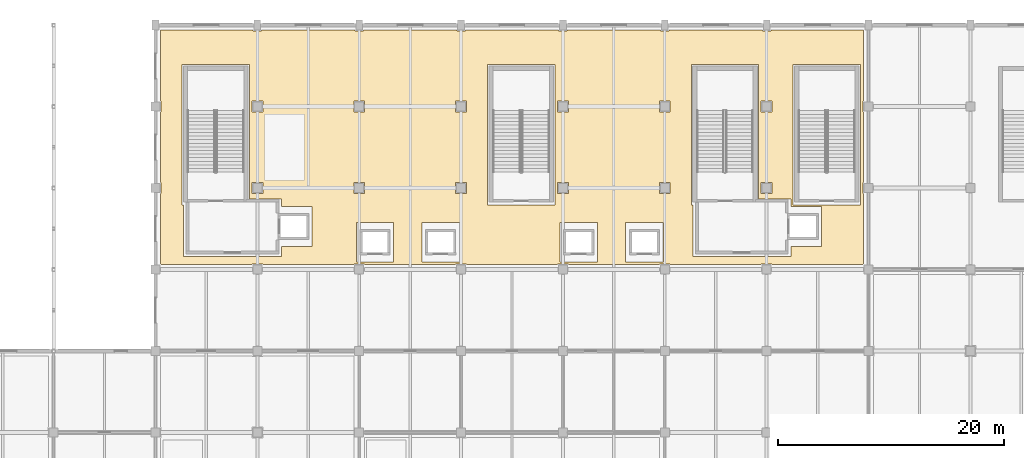
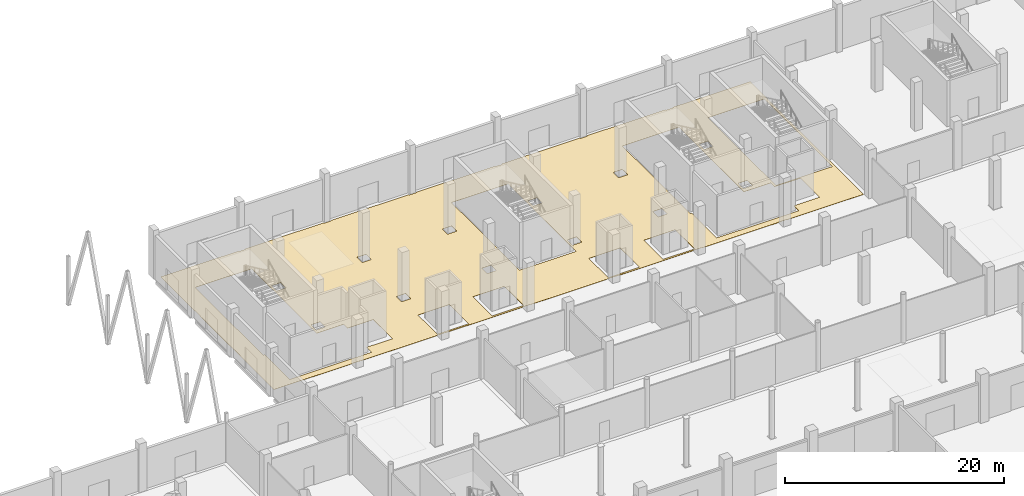
# One storey, part 129 of 137: 1 covering.
"""IFC4 building model written with IfcOpenShell, lengths in metres."""

from ifc_helpers import new_model, si_unit, direction, origin, place, context, subcontext, project, spatial, polyline, outline, extrude, material, layer, layer_set, type_object, element, save


model = new_model("IFC4")

# Units and contexts
model_context = context("Model", 3, precision=1e-05, world=origin(), true_north=direction((0.0, 1.0)))
body_context = subcontext(model_context, "Body", "Model", "MODEL_VIEW")
ifc_project = project(units=[si_unit("LENGTHUNIT", "METRE"), si_unit("AREAUNIT", "SQUARE_METRE"), si_unit("VOLUMEUNIT", "CUBIC_METRE"), si_unit("PLANEANGLEUNIT", "RADIAN"), si_unit("MASSUNIT", "GRAM", prefix="KILO")], contexts=[model_context])

# Site, building, storey
site_placement = place(None, origin())
site = spatial("IfcSite", under=ifc_project, at=site_placement, CompositionType="ELEMENT")
building_placement = place(site_placement, origin())
building = spatial("IfcBuilding", under=site, at=building_placement, Name="Celestram Park Convention Centre", CompositionType="ELEMENT")
storey_placement = place(building_placement, origin())
storey = spatial("IfcBuildingStorey", under=building, at=storey_placement, Name="L00", CompositionType="ELEMENT", Elevation=0.0)

# Covering
ifc_material = material(Name="Polished Lakefront Aggregate Terrazzo Flooring", Category="concrete")
ifc_layer = layer(ifc_material, 0.02001953125)
ifc_layer_set = layer_set([ifc_layer], Name="Polished Lakefront Aggregate Terrazzo Flooring")
covering_type = type_object("IfcCoveringType", Name="ARC-COV-FLR020", PredefinedType="FLOORING", material=ifc_layer_set)
covering_placement = place(storey_placement, origin())
element("IfcCovering", 1, at=covering_placement, inside=storey, type_object=covering_type, Name="North Elevator Lobby L00 terrazzo flooring", PredefinedType="FLOORING", context=body_context, shape_type="SweptSolid", body=[
    extrude(outline(polyline([(44.6220703125, 165.14990234375), (44.6220703125, 165.072021484375), (45.3779296875, 165.072021484375), (45.3779296875, 165.14990234375), (53.6220703125, 165.14990234375), (53.6220703125, 165.072021484375), (54.3779296875, 165.072021484375), (54.3779296875, 165.14990234375), (62.6220703125, 165.14990234375), (62.6220703125, 165.072021484375), (63.3779296875, 165.072021484375), (63.3779296875, 165.14990234375), (71.6220703125, 165.14990234375), (71.6220703125, 165.072021484375), (72.3779296875, 165.072021484375), (72.3779296875, 165.14990234375), (80.6220703125, 165.14990234375), (80.6220703125, 165.072021484375), (81.3779296875, 165.072021484375), (81.3779296875, 165.14990234375), (89.6220703125, 165.14990234375), (89.6220703125, 165.072021484375), (90.3779296875, 165.072021484375), (90.3779296875, 165.14990234375), (98.550048828125, 165.14990234375), (98.550048828125, 158.8779296875), (98.52197265625, 158.8779296875), (98.52197265625, 157.922119140625), (98.550048828125, 157.922119140625), (98.550048828125, 151.677978515625), (98.52197265625, 151.677978515625), (98.52197265625, 150.721923828125), (98.550048828125, 150.721923828125), (98.550048828125, 144.47802734375), (98.52197265625, 144.47802734375), (98.52197265625, 144.449951171875), (90.47802734375, 144.449951171875), (90.47802734375, 144.47802734375), (89.52197265625, 144.47802734375), (89.52197265625, 144.449951171875), (81.47802734375, 144.449951171875), (81.47802734375, 144.47802734375), (80.52197265625, 144.47802734375), (80.52197265625, 144.449951171875), (72.47802734375, 144.449951171875), (72.47802734375, 144.47802734375), (71.52197265625, 144.47802734375), (71.52197265625, 144.449951171875), (63.47802734375, 144.449951171875), (63.47802734375, 144.47802734375), (62.52197265625, 144.47802734375), (62.52197265625, 144.449951171875), (54.47802734375, 144.449951171875), (54.47802734375, 144.47802734375), (53.52197265625, 144.47802734375), (53.52197265625, 144.449951171875), (45.47802734375, 144.449951171875), (45.47802734375, 144.47802734375), (44.52197265625, 144.47802734375), (44.52197265625, 144.449951171875), (36.47802734375, 144.449951171875), (36.47802734375, 144.47802734375), (36.449951171875, 144.47802734375), (36.449951171875, 150.721923828125), (36.47802734375, 150.721923828125), (36.47802734375, 151.677978515625), (36.449951171875, 151.677978515625), (36.449951171875, 157.922119140625), (36.47802734375, 157.922119140625), (36.47802734375, 158.8779296875), (36.449951171875, 158.8779296875), (36.449951171875, 165.14990234375), (44.6220703125, 165.14990234375)]), holes=[polyline([(57.050048828125, 148.14990234375), (53.75, 148.14990234375), (53.75, 144.64990234375), (57.050048828125, 144.64990234375), (57.050048828125, 148.14990234375)]), polyline([(62.85009765625, 148.14990234375), (59.550048828125, 148.14990234375), (59.550048828125, 144.64990234375), (62.85009765625, 144.64990234375), (62.85009765625, 148.14990234375)]), polyline([(75.050048828125, 148.14990234375), (71.75, 148.14990234375), (71.75, 144.64990234375), (75.050048828125, 144.64990234375), (75.050048828125, 148.14990234375)]), polyline([(80.85009765625, 148.14990234375), (77.550048828125, 148.14990234375), (77.550048828125, 144.64990234375), (80.85009765625, 144.64990234375), (80.85009765625, 148.14990234375)]), polyline([(47.1298828125, 150.25), (44.300048828125, 150.25), (44.300048828125, 162.10009765625), (38.340087890625, 162.10009765625), (38.340087890625, 149.699951171875), (38.489990234375, 149.699951171875), (38.489990234375, 145.14990234375), (47.1298828125, 145.14990234375), (47.1298828125, 146.050048828125), (49.85009765625, 146.050048828125), (49.85009765625, 149.550048828125), (47.1298828125, 149.550048828125), (47.1298828125, 150.25)]), polyline([(92.1298828125, 150.25), (89.300048828125, 150.25), (89.300048828125, 162.10009765625), (83.340087890625, 162.10009765625), (83.340087890625, 149.699951171875), (83.489990234375, 149.699951171875), (83.489990234375, 145.14990234375), (92.1298828125, 145.14990234375), (92.1298828125, 146.050048828125), (94.85009765625, 146.050048828125), (94.85009765625, 149.550048828125), (92.1298828125, 149.550048828125), (92.1298828125, 150.25)]), polyline([(71.300048828125, 162.10009765625), (65.340087890625, 162.10009765625), (65.340087890625, 149.699951171875), (71.300048828125, 149.699951171875), (71.300048828125, 162.10009765625)]), polyline([(98.300048828125, 149.699951171875), (98.300048828125, 162.10009765625), (92.340087890625, 162.10009765625), (92.340087890625, 149.699951171875), (98.300048828125, 149.699951171875)]), polyline([(45.47802734375, 150.721923828125), (45.47802734375, 151.677978515625), (44.52197265625, 151.677978515625), (44.52197265625, 150.721923828125), (45.47802734375, 150.721923828125)]), polyline([(45.47802734375, 158.8779296875), (44.52197265625, 158.8779296875), (44.52197265625, 157.922119140625), (45.47802734375, 157.922119140625), (45.47802734375, 158.8779296875)]), polyline([(63.47802734375, 151.677978515625), (62.52197265625, 151.677978515625), (62.52197265625, 150.721923828125), (63.47802734375, 150.721923828125), (63.47802734375, 151.677978515625)]), polyline([(81.47802734375, 150.721923828125), (81.47802734375, 151.677978515625), (80.52197265625, 151.677978515625), (80.52197265625, 150.721923828125), (81.47802734375, 150.721923828125)]), polyline([(54.47802734375, 150.721923828125), (54.47802734375, 151.677978515625), (53.52197265625, 151.677978515625), (53.52197265625, 150.721923828125), (54.47802734375, 150.721923828125)]), polyline([(72.47802734375, 151.677978515625), (71.52197265625, 151.677978515625), (71.52197265625, 150.721923828125), (72.47802734375, 150.721923828125), (72.47802734375, 151.677978515625)]), polyline([(81.47802734375, 158.8779296875), (80.52197265625, 158.8779296875), (80.52197265625, 157.922119140625), (81.47802734375, 157.922119140625), (81.47802734375, 158.8779296875)]), polyline([(63.47802734375, 158.8779296875), (62.52197265625, 158.8779296875), (62.52197265625, 157.922119140625), (63.47802734375, 157.922119140625), (63.47802734375, 158.8779296875)]), polyline([(72.47802734375, 157.922119140625), (72.47802734375, 158.8779296875), (71.52197265625, 158.8779296875), (71.52197265625, 157.922119140625), (72.47802734375, 157.922119140625)]), polyline([(54.47802734375, 157.922119140625), (54.47802734375, 158.8779296875), (53.52197265625, 158.8779296875), (53.52197265625, 157.922119140625), (54.47802734375, 157.922119140625)]), polyline([(90.47802734375, 150.721923828125), (90.47802734375, 151.677978515625), (89.52197265625, 151.677978515625), (89.52197265625, 150.721923828125), (90.47802734375, 150.721923828125)]), polyline([(90.47802734375, 157.922119140625), (90.47802734375, 158.8779296875), (89.52197265625, 158.8779296875), (89.52197265625, 157.922119140625), (90.47802734375, 157.922119140625)])]), origin(), (0.0, 0.0, 1.0), 0.02001953125),
])

save(model, "model.ifc")
